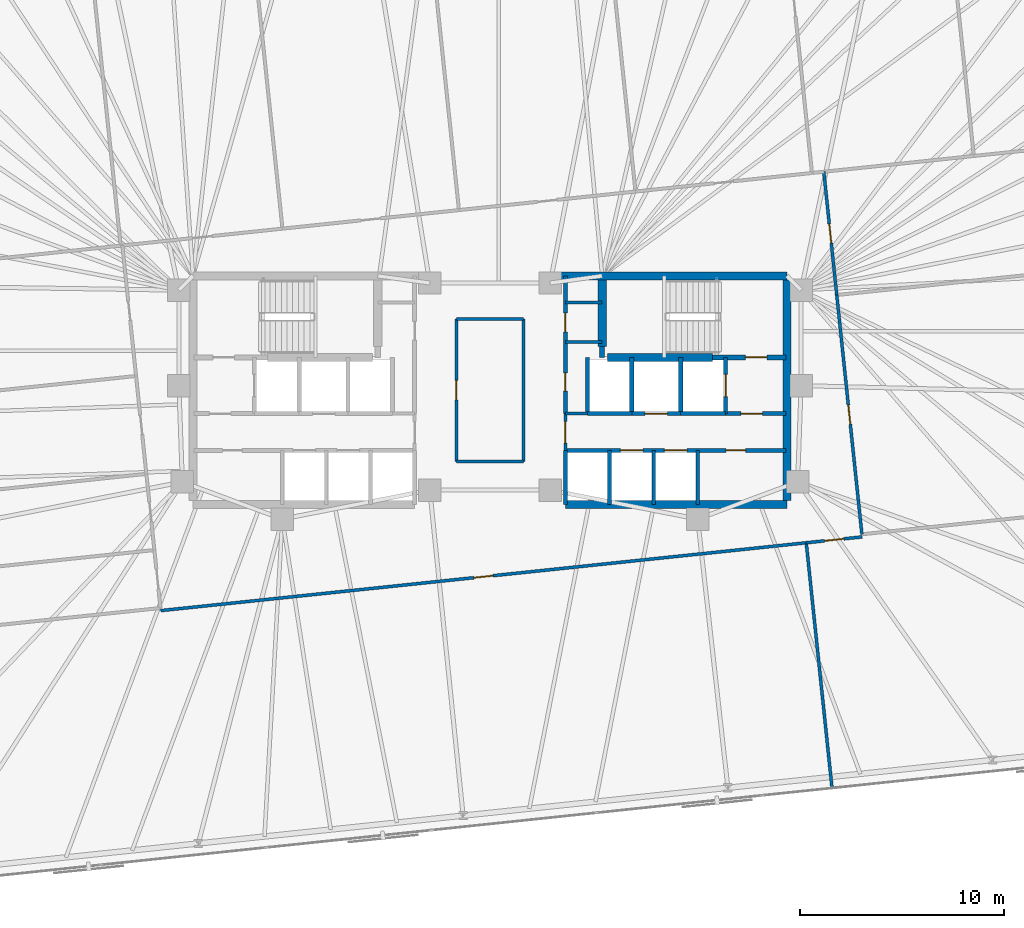
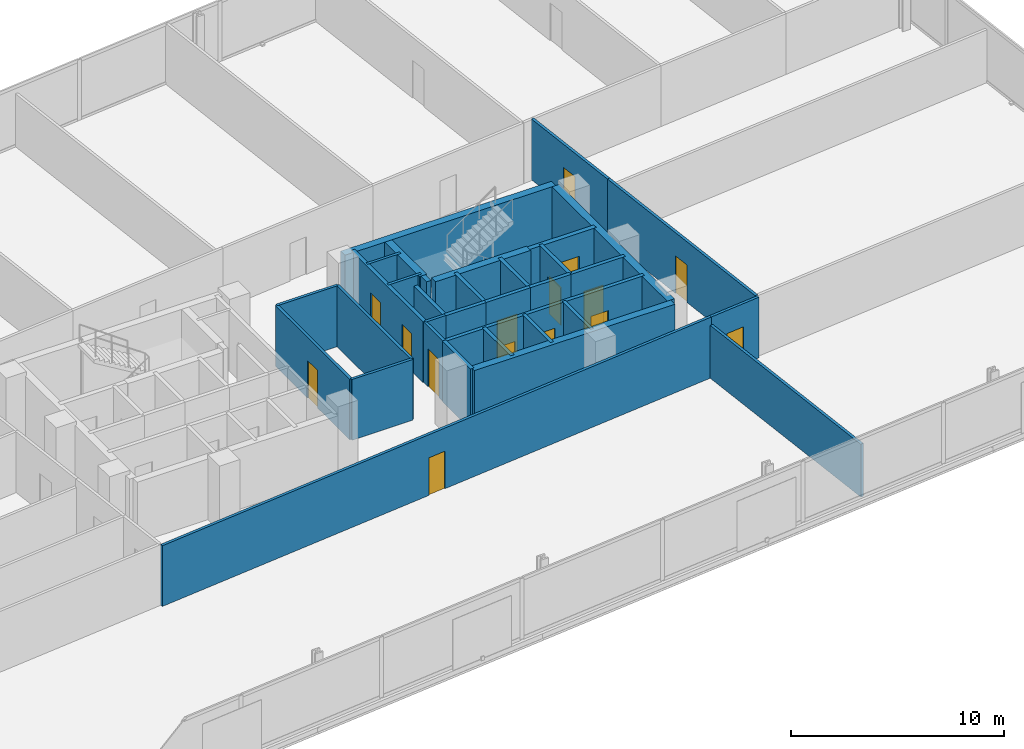
# One storey, part 15 of 18: 34 walls, 15 doors, 15 openings.
"""IFC4 building model written with IfcOpenShell, lengths in metres."""

from ifc_helpers import new_model, si_unit, direction, frame, frame_2d, origin, place, context, subcontext, project, spatial, rectangle, extrude, material, layer, layer_set, type_object, element, fill, save


model = new_model("IFC4")

# Units and contexts
model_context = context("Model", 3, precision=1e-05, world=origin(), true_north=direction((0.0, 1.0)))
body_context = subcontext(model_context, "Body", "Model", "MODEL_VIEW")
ifc_project = project(units=[si_unit("LENGTHUNIT", "METRE"), si_unit("AREAUNIT", "SQUARE_METRE"), si_unit("VOLUMEUNIT", "CUBIC_METRE"), si_unit("PLANEANGLEUNIT", "RADIAN"), si_unit("MASSUNIT", "GRAM", prefix="KILO")], contexts=[model_context])

# Site, building, storey
site_placement = place(None, origin())
site = spatial("IfcSite", under=ifc_project, at=site_placement, CompositionType="ELEMENT")
building_placement = place(site_placement, origin())
building = spatial("IfcBuilding", under=site, at=building_placement, Name="Menara Jurai Vektor", CompositionType="ELEMENT")
storey_placement = place(building_placement, frame((0.0, 0.0, 105.89990234375)))
storey = spatial("IfcBuildingStorey", under=building, at=storey_placement, Name="L26", CompositionType="ELEMENT", Elevation=105.89990234375)

# Wall, opening, door
ifc_material_1 = material(Name="Concrete C40/50", Category="concrete")
ifc_layer_1 = layer(ifc_material_1, 0.25)
ifc_layer_set_1 = layer_set([ifc_layer_1], Name="Concrete C40/50")
wall_type_1 = type_object("IfcWallType", Name="INT-WALL-CORE-250", PredefinedType="STANDARD", material=ifc_layer_set_1)
wall_1_placement = place(storey_placement, frame((10.89990234375, 1.60009765625, 0.0), z_axis=(0.0, 0.0, 1.0), x_axis=(1.0, 0.0, 0.0)))
wall_1 = element("IfcWall", 1, at=wall_1_placement, inside=storey, type_object=wall_type_1, Name="Interior Wall IW-250 L26", PredefinedType="STANDARD", context=body_context, shape_type="SweptSolid", body=[
    extrude(rectangle(XDim=3.60009765625, YDim=0.25, at=frame_2d((1.800048828125, 0.0))), origin(), (0.0, 0.0, 1.0), 3.47509765625),
])
opening_1_placement = place(wall_1_placement, frame((1.6201171875, 0.0, 0.0)))
opening_1 = element("IfcOpeningElement", 2, at=opening_1_placement, cuts=wall_1, Name="Opening D-L26-ST2", PredefinedType="OPENING", context=body_context, shape_type="SweptSolid", body=[
    extrude(rectangle(XDim=1.050048828125, YDim=2.14990234375, at=frame_2d((0.52490234375, 1.074951171875))), frame((0.0, 0.135009765625, 0.0), z_axis=(0.0, -1.0, 0.0), x_axis=(1.0, 0.0, 0.0)), (0.0, 0.0, 1.0), 0.27001953125),
])
ifc_material_2 = material(Name="Fire-Rated Steel Door", Category="steel")
door_type_1 = type_object("IfcDoorType", Name="DR-STAIR-1050", OperationType="NOTDEFINED", PredefinedType="DOOR", material=ifc_material_2)
door_1_placement = place(opening_1_placement, origin())
door_1 = element("IfcDoor", 3, at=door_1_placement, inside=storey, type_object=door_type_1, Name="Exit Stair ST2 Door L26", OperationType="SINGLE_SWING_LEFT", OverallHeight=2.14990234375, OverallWidth=1.050048828125, PredefinedType="DOOR", context=body_context, shape_type="SweptSolid", body=[
    extrude(rectangle(XDim=1.050048828125, YDim=2.14990234375, at=frame_2d((0.52490234375, 1.074951171875))), frame((0.0, 0.02490234375, 0.0), z_axis=(0.0, -1.0, 0.0), x_axis=(1.0, 0.0, 0.0)), (0.0, 0.0, 1.0), 0.050048828125),
])
fill(opening_1, door_1)

# Wall
wall_2_placement = place(storey_placement, frame((5.5, 1.60009765625, 0.0), z_axis=(0.0, 0.0, 1.0), x_axis=(0.0, 1.0, 0.0)))
element("IfcWall", 4, at=wall_2_placement, inside=storey, type_object=wall_type_1, Name="Interior Wall IW-250 L26", PredefinedType="STANDARD", context=body_context, shape_type="SweptSolid", body=[
    extrude(rectangle(XDim=0.5498046875, YDim=0.25, at=frame_2d((0.27490234375, 0.0))), origin(), (0.0, 0.0, 1.0), 3.47509765625),
])

# Wall, opening, door
wall_3_placement = place(storey_placement, frame((11.550048828125, -1.14990234375, 0.0), z_axis=(0.0, 0.0, 1.0), x_axis=(0.0, 1.0, 0.0)))
wall_3 = element("IfcWall", 5, at=wall_3_placement, inside=storey, type_object=wall_type_1, Name="Interior Wall IW-250 L26", PredefinedType="STANDARD", context=body_context, shape_type="SweptSolid", body=[
    extrude(rectangle(XDim=2.75, YDim=0.199951171875, at=frame_2d((1.375, 0.0))), origin(), (0.0, 0.0, 1.0), 3.47509765625),
])
opening_2_placement = place(wall_3_placement, frame((0.824951171875, 0.0, 0.0)))
opening_2 = element("IfcOpeningElement", 6, at=opening_2_placement, cuts=wall_3, Name="Opening LD-L26-FL2", PredefinedType="OPENING", context=body_context, shape_type="SweptSolid", body=[
    extrude(rectangle(XDim=1.10009765625, YDim=2.14990234375, at=frame_2d((0.550048828125, 1.074951171875))), frame((0.0, 0.10986328125, 0.0), z_axis=(0.0, -1.0, 0.0), x_axis=(1.0, 0.0, 0.0)), (0.0, 0.0, 1.0), 0.219970703125),
])
ifc_material_3 = material(Name="Stainless Steel Sliding Lift Landing Door", Category="steel")
door_type_2 = type_object("IfcDoorType", Name="DR-LIFT-FIRE-1100", OperationType="NOTDEFINED", PredefinedType="DOOR", material=ifc_material_3)
door_2_placement = place(opening_2_placement, origin())
door_2 = element("IfcDoor", 7, at=door_2_placement, inside=storey, type_object=door_type_2, Name="Lift Landing Door FL2 L26", OperationType="SLIDING_TO_RIGHT", OverallHeight=2.14990234375, OverallWidth=1.10009765625, PredefinedType="DOOR", context=body_context, shape_type="SweptSolid", body=[
    extrude(rectangle(XDim=1.10009765625, YDim=2.14990234375, at=frame_2d((0.550048828125, 1.074951171875))), frame((0.0, 0.02490234375, 0.0), z_axis=(0.0, -1.0, 0.0), x_axis=(1.0, 0.0, 0.0)), (0.0, 0.0, 1.0), 0.050048828125),
])
fill(opening_2, door_2)

# Wall
wall_4_placement = place(storey_placement, frame((9.35009765625, -1.14990234375, 0.0), z_axis=(0.0, 0.0, 1.0), x_axis=(0.0, 1.0, 0.0)))
element("IfcWall", 8, at=wall_4_placement, inside=storey, type_object=wall_type_1, Name="Interior Wall IW-250 L26", PredefinedType="STANDARD", context=body_context, shape_type="SweptSolid", body=[
    extrude(rectangle(XDim=2.75, YDim=0.199951171875, at=frame_2d((1.375, 0.0))), origin(), (0.0, 0.0, 1.0), 3.47509765625),
])

# Wall, opening, door
wall_5_placement = place(storey_placement, frame((11.550048828125, -1.14990234375, 0.0), z_axis=(0.0, 0.0, 1.0), x_axis=(1.0, 0.0, 0.0)))
wall_5 = element("IfcWall", 9, at=wall_5_placement, inside=storey, type_object=wall_type_1, Name="Interior Wall IW-250 L26", PredefinedType="STANDARD", context=body_context, shape_type="SweptSolid", body=[
    extrude(rectangle(XDim=2.949951171875, YDim=0.199951171875, at=frame_2d((1.47509765625, 0.0))), origin(), (0.0, 0.0, 1.0), 3.47509765625),
])
opening_3_placement = place(wall_5_placement, frame((0.75, 0.0, 0.0)))
opening_3 = element("IfcOpeningElement", 10, at=opening_3_placement, cuts=wall_5, Name="Opening D-L26-FFE", PredefinedType="OPENING", context=body_context, shape_type="SweptSolid", body=[
    extrude(rectangle(XDim=1.050048828125, YDim=2.179931640625, at=frame_2d((0.52490234375, 1.08984375))), frame((0.0, 0.10986328125, 0.0), z_axis=(0.0, -1.0, 0.0), x_axis=(1.0, 0.0, 0.0)), (0.0, 0.0, 1.0), 0.219970703125),
])
ifc_material_4 = material(Name="Fire-Rated Timber Door", Category="wood")
door_type_3 = type_object("IfcDoorType", Name="DR-LOBBY-1050", OperationType="NOTDEFINED", PredefinedType="DOOR", material=ifc_material_4)
door_3_placement = place(opening_3_placement, origin())
door_3 = element("IfcDoor", 11, at=door_3_placement, inside=storey, type_object=door_type_3, Name="Fire Lift Lobby Door E L26", OperationType="SINGLE_SWING_LEFT", OverallHeight=2.179931640625, OverallWidth=1.050048828125, PredefinedType="DOOR", context=body_context, shape_type="SweptSolid", body=[
    extrude(rectangle(XDim=1.050048828125, YDim=2.179931640625, at=frame_2d((0.52490234375, 1.08984375))), frame((0.0, 0.02490234375, 0.0), z_axis=(0.0, -1.0, 0.0), x_axis=(1.0, 0.0, 0.0)), (0.0, 0.0, 1.0), 0.050048828125),
])
fill(opening_3, door_3)

# Wall
wall_6_placement = place(storey_placement, frame((9.35009765625, -1.14990234375, 0.0), z_axis=(0.0, 0.0, 1.0), x_axis=(1.0, 0.0, 0.0)))
element("IfcWall", 12, at=wall_6_placement, inside=storey, type_object=wall_type_1, Name="Interior Wall IW-250 L26", PredefinedType="STANDARD", context=body_context, shape_type="SweptSolid", body=[
    extrude(rectangle(XDim=2.199951171875, YDim=0.199951171875, at=frame_2d((1.10009765625, 0.0))), origin(), (0.0, 0.0, 1.0), 3.47509765625),
])

# Wall, opening, door
ifc_material_5 = material(Name="Gypsum Fireboard Partition", Category="gypsum")
ifc_layer_2 = layer(ifc_material_5, 0.14990234375)
ifc_layer_set_2 = layer_set([ifc_layer_2], Name="Gypsum Fireboard Partition")
wall_type_2 = type_object("IfcWallType", Name="INT-WALL-CORR-150", PredefinedType="PARTITIONING", material=ifc_layer_set_2)
wall_7_placement = place(storey_placement, frame((3.699951171875, -2.949951171875, 0.0), z_axis=(0.0, 0.0, 1.0), x_axis=(0.0, 1.0, 0.0)))
wall_7 = element("IfcWall", 13, at=wall_7_placement, inside=storey, type_object=wall_type_2, Name="Interior Wall IW-150 L26", PredefinedType="PARTITIONING", context=body_context, shape_type="SweptSolid", body=[
    extrude(rectangle(XDim=1.800048828125, YDim=0.14990234375, at=frame_2d((0.89990234375, 0.0))), origin(), (0.0, 0.0, 1.0), 3.47509765625),
])
opening_4_placement = place(wall_7_placement, frame((0.35009765625, 0.0, 0.0)))
opening_4 = element("IfcOpeningElement", 14, at=opening_4_placement, cuts=wall_7, Name="Opening D-L26-LLE", PredefinedType="OPENING", context=body_context, shape_type="SweptSolid", body=[
    extrude(rectangle(XDim=1.050048828125, YDim=2.179931640625, at=frame_2d((0.52490234375, 1.08984375))), frame((0.0, 0.0849609375, 0.0), z_axis=(0.0, -1.0, 0.0), x_axis=(1.0, 0.0, 0.0)), (0.0, 0.0, 1.0), 0.169921875),
])
door_4_placement = place(opening_4_placement, frame((1.050048828125, 0.0, 0.0), z_axis=(0.0, 0.0, 1.0), x_axis=(-1.0, 0.0, 0.0)))
door_4 = element("IfcDoor", 15, at=door_4_placement, inside=storey, type_object=door_type_3, Name="Lift Lobby Corridor Door E L26", OperationType="SINGLE_SWING_RIGHT", OverallHeight=2.179931640625, OverallWidth=1.050048828125, PredefinedType="DOOR", context=body_context, shape_type="SweptSolid", body=[
    extrude(rectangle(XDim=1.050048828125, YDim=2.179931640625, at=frame_2d((0.52490234375, 1.08984375))), frame((0.0, 0.02490234375, 0.0), z_axis=(0.0, -1.0, 0.0), x_axis=(1.0, 0.0, 0.0)), (0.0, 0.0, 1.0), 0.050048828125),
])
fill(opening_4, door_4)

# Walls
wall_8_placement = place(storey_placement, frame((3.699951171875, -1.14990234375, 0.0), z_axis=(0.0, 0.0, 1.0), x_axis=(1.0, 0.0, 0.0)))
element("IfcWall", 16, at=wall_8_placement, inside=storey, type_object=wall_type_2, Name="Interior Wall IW-150 L26", PredefinedType="PARTITIONING", context=body_context, shape_type="SweptSolid", body=[
    extrude(rectangle(XDim=1.090087890625, YDim=0.14990234375, at=frame_2d((0.544921875, 0.0))), origin(), (0.0, 0.0, 1.0), 3.47509765625),
])
for number, where, z_axis, x_axis, name in (
    (17, (3.699951171875, 4.300048828125, 0.0), (0.0, 0.0, 1.0), (1.0, 0.0, 0.0), "Interior Wall IW-150 L26"),
    (18, (3.699951171875, 2.35009765625, 0.0), (0.0, 0.0, 1.0), (1.0, 0.0, 0.0), "Interior Wall IW-150 L26"),
):
    element("IfcWall", number, at=place(storey_placement, frame(where, z_axis=z_axis, x_axis=x_axis)), inside=storey, type_object=wall_type_2, Name=name, PredefinedType="PARTITIONING", context=body_context, shape_type="SweptSolid", body=[
        extrude(rectangle(XDim=1.800048828125, YDim=0.14990234375, at=frame_2d((0.89990234375, 0.0))), origin(), (0.0, 0.0, 1.0), 3.47509765625),
    ])

# Wall, opening, door
wall_9_placement = place(storey_placement, frame((-1.649658203125, -3.490478515625, 0.0), z_axis=(0.0, 0.0, 1.0), x_axis=(-0.000104928124, 0.999999994495, 0.0)))
wall_9 = element("IfcWall", 19, at=wall_9_placement, inside=storey, type_object=wall_type_2, Name="Interior Wall IW-150 L26", PredefinedType="PARTITIONING", context=body_context, shape_type="SweptSolid", body=[
    extrude(rectangle(XDim=6.980224609375, YDim=0.14990234375, at=frame_2d((3.490234375, 0.0))), origin(), (0.0, 0.0, 1.0), 3.47509765625),
])
opening_5_placement = place(wall_9_placement, frame((3.01513671875, 0.0, 0.0)))
opening_5 = element("IfcOpeningElement", 20, at=opening_5_placement, cuts=wall_9, Name="Opening D26-06", PredefinedType="OPENING", context=body_context, shape_type="SweptSolid", body=[
    extrude(rectangle(XDim=0.949951171875, YDim=2.14990234375, at=frame_2d((0.47509765625, 1.074951171875))), frame((0.0, 0.0849609375, 0.0), z_axis=(0.0, -1.0, 0.0), x_axis=(1.0, 0.0, 0.0)), (0.0, 0.0, 1.0), 0.169921875),
])
ifc_material_6 = material(Name="Solid Core Timber Fire Door", Category="wood")
door_type_4 = type_object("IfcDoorType", Name="DR-ENTRY-950", OperationType="NOTDEFINED", PredefinedType="DOOR", material=ifc_material_6)
door_5_placement = place(opening_5_placement, origin())
door_5 = element("IfcDoor", 21, at=door_5_placement, inside=storey, type_object=door_type_4, Name="Interior Door D26-06", OperationType="SINGLE_SWING_LEFT", OverallHeight=2.14990234375, OverallWidth=0.949951171875, PredefinedType="DOOR", context=body_context, shape_type="SweptSolid", body=[
    extrude(rectangle(XDim=0.949951171875, YDim=2.14990234375, at=frame_2d((0.47509765625, 1.074951171875))), frame((0.0, 0.02490234375, 0.0), z_axis=(0.0, -1.0, 0.0), x_axis=(1.0, 0.0, 0.0)), (0.0, 0.0, 1.0), 0.050048828125),
])
fill(opening_5, door_5)

# Walls
wall_10_placement = place(storey_placement, frame((-1.649658203125, -3.490478515625, 0.0), z_axis=(0.0, 0.0, 1.0), x_axis=(1.0, 0.0, 0.0)))
element("IfcWall", 22, at=wall_10_placement, inside=storey, type_object=wall_type_2, Name="Interior Wall IW-150 L26", PredefinedType="PARTITIONING", context=body_context, shape_type="SweptSolid", body=[
    extrude(rectangle(XDim=3.300048828125, YDim=0.14990234375, at=frame_2d((1.64990234375, 0.0))), origin(), (0.0, 0.0, 1.0), 3.47509765625),
])
wall_11_placement = place(storey_placement, frame((-1.650390625, 3.48974609375, 0.0), z_axis=(0.0, 0.0, 1.0), x_axis=(1.0, 0.0, 0.0)))
element("IfcWall", 23, at=wall_11_placement, inside=storey, type_object=wall_type_2, Name="Interior Wall IW-150 L26", PredefinedType="PARTITIONING", context=body_context, shape_type="SweptSolid", body=[
    extrude(rectangle(XDim=3.30029296875, YDim=0.14990234375, at=frame_2d((1.650146484375, 0.0))), origin(), (0.0, 0.0, 1.0), 3.47509765625),
])
wall_12_placement = place(storey_placement, frame((1.650390625, -3.490478515625, 0.0), z_axis=(0.0, 0.0, 1.0), x_axis=(-6.9952083e-05, 0.999999997553, 0.0)))
element("IfcWall", 24, at=wall_12_placement, inside=storey, type_object=wall_type_2, Name="Interior Wall IW-150 L26", PredefinedType="PARTITIONING", context=body_context, shape_type="SweptSolid", body=[
    extrude(rectangle(XDim=6.980224609375, YDim=0.14990234375, at=frame_2d((3.490234375, 0.0))), origin(), (0.0, 0.0, 1.0), 3.47509765625),
])

# Wall, opening, door
wall_13_placement = place(storey_placement, frame((-16.139892578125, -10.80908203125, 0.0), z_axis=(0.0, 0.0, 1.0), x_axis=(0.994522174335, 0.104525809046, 0.0)))
wall_13 = element("IfcWall", 25, at=wall_13_placement, inside=storey, type_object=wall_type_2, Name="Interior Wall IW-150 L26", PredefinedType="PARTITIONING", context=body_context, shape_type="SweptSolid", body=[
    extrude(rectangle(XDim=31.81689453125, YDim=0.14990234375, at=frame_2d((15.908447265625, 0.0))), origin(), (0.0, 0.0, 1.0), 3.47509765625),
])
opening_6_placement = place(wall_13_placement, frame((15.43359375, 0.0, 0.0)))
opening_6 = element("IfcOpeningElement", 26, at=opening_6_placement, cuts=wall_13, Name="Opening D26-11", PredefinedType="OPENING", context=body_context, shape_type="SweptSolid", body=[
    extrude(rectangle(XDim=0.949951171875, YDim=2.14990234375, at=frame_2d((0.47509765625, 1.074951171875))), frame((0.0, 0.0849609375, 0.0), z_axis=(0.0, -1.0, 0.0), x_axis=(1.0, 0.0, 0.0)), (0.0, 0.0, 1.0), 0.169921875),
])
door_6_placement = place(opening_6_placement, origin())
door_6 = element("IfcDoor", 27, at=door_6_placement, inside=storey, type_object=door_type_4, Name="Interior Door D26-11", OperationType="SINGLE_SWING_RIGHT", OverallHeight=2.14990234375, OverallWidth=0.949951171875, PredefinedType="DOOR", context=body_context, shape_type="SweptSolid", body=[
    extrude(rectangle(XDim=0.949951171875, YDim=2.14990234375, at=frame_2d((0.47509765625, 1.074951171875))), frame((0.0, 0.02490234375, 0.0), z_axis=(0.0, -1.0, 0.0), x_axis=(1.0, 0.0, 0.0)), (0.0, 0.0, 1.0), 0.050048828125),
])
fill(opening_6, door_6)

wall_14_placement = place(storey_placement, frame((15.502685546875, -7.4833984375, 0.0), z_axis=(0.0, 0.0, 1.0), x_axis=(0.994525813133, 0.104491181506, 0.0)))
wall_14 = element("IfcWall", 28, at=wall_14_placement, inside=storey, type_object=wall_type_2, Name="Interior Wall IW-150 L26", PredefinedType="PARTITIONING", context=body_context, shape_type="SweptSolid", body=[
    extrude(rectangle(XDim=2.757080078125, YDim=0.14990234375, at=frame_2d((1.37841796875, 0.0))), origin(), (0.0, 0.0, 1.0), 3.47509765625),
])
opening_7_placement = place(wall_14_placement, frame((0.903564453125, 0.0, 0.0)))
opening_7 = element("IfcOpeningElement", 29, at=opening_7_placement, cuts=wall_14, Name="Opening D26-12", PredefinedType="OPENING", context=body_context, shape_type="SweptSolid", body=[
    extrude(rectangle(XDim=0.949951171875, YDim=2.14990234375, at=frame_2d((0.47509765625, 1.074951171875))), frame((0.0, 0.0849609375, 0.0), z_axis=(0.0, -1.0, 0.0), x_axis=(1.0, 0.0, 0.0)), (0.0, 0.0, 1.0), 0.169921875),
])
door_7_placement = place(opening_7_placement, origin())
door_7 = element("IfcDoor", 30, at=door_7_placement, inside=storey, type_object=door_type_4, Name="Interior Door D26-12", OperationType="SINGLE_SWING_LEFT", OverallHeight=2.14990234375, OverallWidth=0.949951171875, PredefinedType="DOOR", context=body_context, shape_type="SweptSolid", body=[
    extrude(rectangle(XDim=0.949951171875, YDim=2.14990234375, at=frame_2d((0.47509765625, 1.074951171875))), frame((0.0, 0.02490234375, 0.0), z_axis=(0.0, -1.0, 0.0), x_axis=(1.0, 0.0, 0.0)), (0.0, 0.0, 1.0), 0.050048828125),
])
fill(opening_7, door_7)

wall_15_placement = place(storey_placement, frame((18.231201171875, -7.06787109375, 0.0), z_axis=(0.0, 0.0, 1.0), x_axis=(-0.104536082083, 0.994521094569, 0.0)))
wall_15 = element("IfcWall", 31, at=wall_15_placement, inside=storey, type_object=wall_type_2, Name="Interior Wall IW-150 L26", PredefinedType="PARTITIONING", context=body_context, shape_type="SweptSolid", body=[
    extrude(rectangle(XDim=11.794189453125, YDim=0.14990234375, at=frame_2d((5.89697265625, 0.0))), origin(), (0.0, 0.0, 1.0), 3.47509765625),
])
opening_8_placement = place(wall_15_placement, frame((5.422119140625, 0.0, 0.0)))
opening_8 = element("IfcOpeningElement", 32, at=opening_8_placement, cuts=wall_15, Name="Opening D26-17", PredefinedType="OPENING", context=body_context, shape_type="SweptSolid", body=[
    extrude(rectangle(XDim=0.949951171875, YDim=2.14990234375, at=frame_2d((0.47509765625, 1.074951171875))), frame((0.0, 0.0849609375, 0.0), z_axis=(0.0, -1.0, 0.0), x_axis=(1.0, 0.0, 0.0)), (0.0, 0.0, 1.0), 0.169921875),
])
door_8_placement = place(opening_8_placement, origin())
door_8 = element("IfcDoor", 33, at=door_8_placement, inside=storey, type_object=door_type_4, Name="Interior Door D26-17", OperationType="SINGLE_SWING_RIGHT", OverallHeight=2.14990234375, OverallWidth=0.949951171875, PredefinedType="DOOR", context=body_context, shape_type="SweptSolid", body=[
    extrude(rectangle(XDim=0.949951171875, YDim=2.14990234375, at=frame_2d((0.47509765625, 1.074951171875))), frame((0.0, 0.02490234375, 0.0), z_axis=(0.0, -1.0, 0.0), x_axis=(1.0, 0.0, 0.0)), (0.0, 0.0, 1.0), 0.050048828125),
])
fill(opening_8, door_8)

wall_16_placement = place(storey_placement, frame((16.998291015625, 4.66162109375, 0.0), z_axis=(0.0, 0.0, 1.0), x_axis=(-0.104515354875, 0.994523273029, 0.0)))
wall_16 = element("IfcWall", 34, at=wall_16_placement, inside=storey, type_object=wall_type_2, Name="Interior Wall IW-150 L26", PredefinedType="PARTITIONING", context=body_context, shape_type="SweptSolid", body=[
    extrude(rectangle(XDim=6.07568359375, YDim=0.14990234375, at=frame_2d((3.037841796875, 0.0))), origin(), (0.0, 0.0, 1.0), 3.47509765625),
])
opening_9_placement = place(wall_16_placement, frame((2.56298828125, 0.0, 0.0)))
opening_9 = element("IfcOpeningElement", 35, at=opening_9_placement, cuts=wall_16, Name="Opening D26-18", PredefinedType="OPENING", context=body_context, shape_type="SweptSolid", body=[
    extrude(rectangle(XDim=0.949951171875, YDim=2.14990234375, at=frame_2d((0.47509765625, 1.074951171875))), frame((0.0, 0.0849609375, 0.0), z_axis=(0.0, -1.0, 0.0), x_axis=(1.0, 0.0, 0.0)), (0.0, 0.0, 1.0), 0.169921875),
])
door_9_placement = place(opening_9_placement, origin())
door_9 = element("IfcDoor", 36, at=door_9_placement, inside=storey, type_object=door_type_4, Name="Interior Door D26-18", OperationType="SINGLE_SWING_LEFT", OverallHeight=2.14990234375, OverallWidth=0.949951171875, PredefinedType="DOOR", context=body_context, shape_type="SweptSolid", body=[
    extrude(rectangle(XDim=0.949951171875, YDim=2.14990234375, at=frame_2d((0.47509765625, 1.074951171875))), frame((0.0, 0.02490234375, 0.0), z_axis=(0.0, -1.0, 0.0), x_axis=(1.0, 0.0, 0.0)), (0.0, 0.0, 1.0), 0.050048828125),
])
fill(opening_9, door_9)

# Wall
ifc_layer_3 = layer(ifc_material_5, 0.14990234375)
ifc_layer_set_3 = layer_set([ifc_layer_3], Name="Gypsum Fireboard Partition")
wall_type_3 = type_object("IfcWallType", Name="INT-WALL-CORR-150-H1", PredefinedType="PARTITIONING", material=ifc_layer_set_3)
wall_17_placement = place(storey_placement, frame((16.7666015625, -19.510009765625, 0.0), z_axis=(0.0, 0.0, 1.0), x_axis=(-0.104517685722, 0.994523028075, 0.0)))
element("IfcWall", 37, at=wall_17_placement, inside=storey, type_object=wall_type_3, Name="Interior Wall IW-150 L26", PredefinedType="PARTITIONING", context=body_context, shape_type="SweptSolid", body=[
    extrude(rectangle(XDim=12.0927734375, YDim=0.14990234375, at=frame_2d((6.04638671875, 0.0))), origin(), (0.0, 0.0, 1.0), 3.025146484375),
])

# Wall, openings, doors
ifc_layer_4 = layer(ifc_material_1, 0.199951171875)
ifc_layer_set_4 = layer_set([ifc_layer_4], Name="Concrete C40/50")
wall_type_4 = type_object("IfcWallType", Name="INT-WALL-SHAFT-200", PredefinedType="STANDARD", material=ifc_layer_set_4)
wall_18_placement = place(storey_placement, frame((3.699951171875, -1.14990234375, 0.0), z_axis=(0.0, 0.0, 1.0), x_axis=(0.0, 1.0, 0.0)))
wall_18 = element("IfcWall", 38, at=wall_18_placement, inside=storey, type_object=wall_type_4, Name="Interior Wall IW-200 L26", PredefinedType="STANDARD", context=body_context, shape_type="SweptSolid", body=[
    extrude(rectangle(XDim=6.75, YDim=0.199951171875, at=frame_2d((3.375, 0.0))), origin(), (0.0, 0.0, 1.0), 3.47509765625),
])
opening_10_placement = place(wall_18_placement, frame((1.10009765625, 0.0, 0.0)))
opening_10 = element("IfcOpeningElement", 39, at=opening_10_placement, cuts=wall_18, Name="Opening D26-04", PredefinedType="OPENING", context=body_context, shape_type="SweptSolid", body=[
    extrude(rectangle(XDim=0.89990234375, YDim=2.14990234375, at=frame_2d((0.449951171875, 1.074951171875))), frame((0.0, 0.10986328125, 0.0), z_axis=(0.0, -1.0, 0.0), x_axis=(1.0, 0.0, 0.0)), (0.0, 0.0, 1.0), 0.219970703125),
])
opening_11_placement = place(wall_18_placement, frame((4.0, 0.0, 0.0)))
opening_11 = element("IfcOpeningElement", 40, at=opening_11_placement, cuts=wall_18, Name="Opening D26-05", PredefinedType="OPENING", context=body_context, shape_type="SweptSolid", body=[
    extrude(rectangle(XDim=0.919921875, YDim=2.14990234375, at=frame_2d((0.4599609375, 1.074951171875))), frame((0.0, 0.10986328125, 0.0), z_axis=(0.0, -1.0, 0.0), x_axis=(1.0, 0.0, 0.0)), (0.0, 0.0, 1.0), 0.219970703125),
])
door_10_placement = place(opening_10_placement, origin())
door_10 = element("IfcDoor", 41, at=door_10_placement, inside=storey, type_object=door_type_4, Name="Interior Door D26-04", OperationType="SINGLE_SWING_RIGHT", OverallHeight=2.14990234375, OverallWidth=0.89990234375, PredefinedType="DOOR", context=body_context, shape_type="SweptSolid", body=[
    extrude(rectangle(XDim=0.89990234375, YDim=2.14990234375, at=frame_2d((0.449951171875, 1.074951171875))), frame((0.0, 0.02490234375, 0.0), z_axis=(0.0, -1.0, 0.0), x_axis=(1.0, 0.0, 0.0)), (0.0, 0.0, 1.0), 0.050048828125),
])
fill(opening_10, door_10)
door_11_placement = place(opening_11_placement, origin())
door_11 = element("IfcDoor", 42, at=door_11_placement, inside=storey, type_object=door_type_4, Name="Interior Door D26-05", OperationType="SINGLE_SWING_RIGHT", OverallHeight=2.14990234375, OverallWidth=0.919921875, PredefinedType="DOOR", context=body_context, shape_type="SweptSolid", body=[
    extrude(rectangle(XDim=0.919921875, YDim=2.14990234375, at=frame_2d((0.4599609375, 1.074951171875))), frame((0.0, 0.02490234375, 0.0), z_axis=(0.0, -1.0, 0.0), x_axis=(1.0, 0.0, 0.0)), (0.0, 0.0, 1.0), 0.050048828125),
])
fill(opening_11, door_11)

# Walls
wall_19_placement = place(storey_placement, frame((3.699951171875, -5.60009765625, 0.0), z_axis=(0.0, 0.0, 1.0), x_axis=(0.0, 1.0, 0.0)))
element("IfcWall", 43, at=wall_19_placement, inside=storey, type_object=wall_type_4, Name="Interior Wall IW-200 L26", PredefinedType="STANDARD", context=body_context, shape_type="SweptSolid", body=[
    extrude(rectangle(XDim=2.650146484375, YDim=0.199951171875, at=frame_2d((1.3251953125, 0.0))), origin(), (0.0, 0.0, 1.0), 3.47509765625),
])
wall_20_placement = place(storey_placement, frame((6.949951171875, -1.14990234375, 0.0), z_axis=(0.0, 0.0, 1.0), x_axis=(0.0, 1.0, 0.0)))
element("IfcWall", 44, at=wall_20_placement, inside=storey, type_object=wall_type_4, Name="Interior Wall IW-200 L26", PredefinedType="STANDARD", context=body_context, shape_type="SweptSolid", body=[
    extrude(rectangle(XDim=2.75, YDim=0.199951171875, at=frame_2d((1.375, 0.0))), origin(), (0.0, 0.0, 1.0), 3.47509765625),
])

# Wall, opening, door
wall_21_placement = place(storey_placement, frame((6.949951171875, -1.14990234375, 0.0), z_axis=(0.0, 0.0, 1.0), x_axis=(1.0, 0.0, 0.0)))
wall_21 = element("IfcWall", 45, at=wall_21_placement, inside=storey, type_object=wall_type_4, Name="Interior Wall IW-200 L26", PredefinedType="STANDARD", context=body_context, shape_type="SweptSolid", body=[
    extrude(rectangle(XDim=2.400146484375, YDim=0.199951171875, at=frame_2d((1.2001953125, 0.0))), origin(), (0.0, 0.0, 1.0), 3.47509765625),
])
opening_12_placement = place(wall_21_placement, frame((0.64990234375, 0.0, 0.0)))
opening_12 = element("IfcOpeningElement", 46, at=opening_12_placement, cuts=wall_21, Name="Opening LD-L26-SVL2", PredefinedType="OPENING", context=body_context, shape_type="SweptSolid", body=[
    extrude(rectangle(XDim=1.10009765625, YDim=2.14990234375, at=frame_2d((0.550048828125, 1.074951171875))), frame((0.0, 0.10986328125, 0.0), z_axis=(0.0, -1.0, 0.0), x_axis=(1.0, 0.0, 0.0)), (0.0, 0.0, 1.0), 0.219970703125),
])
ifc_material_7 = material(Name="Anodised Stainless Sliding Lift Landing Door", Category="steel")
door_type_5 = type_object("IfcDoorType", Name="DR-LIFT-PASS-1100", OperationType="NOTDEFINED", PredefinedType="DOOR", material=ifc_material_7)
door_12_placement = place(opening_12_placement, origin())
door_12 = element("IfcDoor", 47, at=door_12_placement, inside=storey, type_object=door_type_5, Name="Lift Landing Door SVL2 L26", OperationType="SLIDING_TO_RIGHT", OverallHeight=2.14990234375, OverallWidth=1.10009765625, PredefinedType="DOOR", context=body_context, shape_type="SweptSolid", body=[
    extrude(rectangle(XDim=1.10009765625, YDim=2.14990234375, at=frame_2d((0.550048828125, 1.074951171875))), frame((0.0, 0.02490234375, 0.0), z_axis=(0.0, -1.0, 0.0), x_axis=(1.0, 0.0, 0.0)), (0.0, 0.0, 1.0), 0.050048828125),
])
fill(opening_12, door_12)

# Walls
wall_22_placement = place(storey_placement, frame((4.7900390625, -1.14990234375, 0.0), z_axis=(0.0, 0.0, 1.0), x_axis=(0.0, 1.0, 0.0)))
element("IfcWall", 48, at=wall_22_placement, inside=storey, type_object=wall_type_4, Name="Interior Wall IW-200 L26", PredefinedType="STANDARD", context=body_context, shape_type="SweptSolid", body=[
    extrude(rectangle(XDim=2.75, YDim=0.199951171875, at=frame_2d((1.375, 0.0))), origin(), (0.0, 0.0, 1.0), 3.47509765625),
])
wall_23_placement = place(storey_placement, frame((4.7900390625, -1.14990234375, 0.0), z_axis=(0.0, 0.0, 1.0), x_axis=(1.0, 0.0, 0.0)))
element("IfcWall", 49, at=wall_23_placement, inside=storey, type_object=wall_type_4, Name="Interior Wall IW-200 L26", PredefinedType="STANDARD", context=body_context, shape_type="SweptSolid", body=[
    extrude(rectangle(XDim=2.159912109375, YDim=0.199951171875, at=frame_2d((1.080078125, 0.0))), origin(), (0.0, 0.0, 1.0), 3.47509765625),
])

# Wall, openings, doors
wall_24_placement = place(storey_placement, frame((3.699951171875, -2.949951171875, 0.0), z_axis=(0.0, 0.0, 1.0), x_axis=(1.0, 0.0, 0.0)))
wall_24 = element("IfcWall", 50, at=wall_24_placement, inside=storey, type_object=wall_type_4, Name="Interior Wall IW-200 L26", PredefinedType="STANDARD", context=body_context, shape_type="SweptSolid", body=[
    extrude(rectangle(XDim=10.800048828125, YDim=0.199951171875, at=frame_2d((5.39990234375, 0.0))), origin(), (0.0, 0.0, 1.0), 3.47509765625),
])
opening_13_placement = place(wall_24_placement, frame((2.68994140625, 0.0, 0.0)))
opening_13 = element("IfcOpeningElement", 51, at=opening_13_placement, cuts=wall_24, Name="Opening LD-L26-PM3", PredefinedType="OPENING", context=body_context, shape_type="SweptSolid", body=[
    extrude(rectangle(XDim=1.10009765625, YDim=2.14990234375, at=frame_2d((0.550048828125, 1.074951171875))), frame((0.0, 0.10986328125, 0.0), z_axis=(0.0, -1.0, 0.0), x_axis=(1.0, 0.0, 0.0)), (0.0, 0.0, 1.0), 0.219970703125),
])
opening_14_placement = place(wall_24_placement, frame((4.85009765625, 0.0, 0.0)))
opening_14 = element("IfcOpeningElement", 52, at=opening_14_placement, cuts=wall_24, Name="Opening LD-L26-PM4", PredefinedType="OPENING", context=body_context, shape_type="SweptSolid", body=[
    extrude(rectangle(XDim=1.10009765625, YDim=2.14990234375, at=frame_2d((0.550048828125, 1.074951171875))), frame((0.0, 0.10986328125, 0.0), z_axis=(0.0, -1.0, 0.0), x_axis=(1.0, 0.0, 0.0)), (0.0, 0.0, 1.0), 0.219970703125),
])
opening_15_placement = place(wall_24_placement, frame((7.8798828125, 0.0, 0.0)))
opening_15 = element("IfcOpeningElement", 53, at=opening_15_placement, cuts=wall_24, Name="Opening D26-03", PredefinedType="OPENING", context=body_context, shape_type="SweptSolid", body=[
    extrude(rectangle(XDim=0.949951171875, YDim=2.14990234375, at=frame_2d((0.47509765625, 1.074951171875))), frame((0.0, 0.10986328125, 0.0), z_axis=(0.0, -1.0, 0.0), x_axis=(1.0, 0.0, 0.0)), (0.0, 0.0, 1.0), 0.219970703125),
])
door_13_placement = place(opening_15_placement, origin())
door_13 = element("IfcDoor", 54, at=door_13_placement, inside=storey, type_object=door_type_4, Name="Interior Door D26-03", OperationType="SINGLE_SWING_LEFT", OverallHeight=2.14990234375, OverallWidth=0.949951171875, PredefinedType="DOOR", context=body_context, shape_type="SweptSolid", body=[
    extrude(rectangle(XDim=0.949951171875, YDim=2.14990234375, at=frame_2d((0.47509765625, 1.074951171875))), frame((0.0, 0.02490234375, 0.0), z_axis=(0.0, -1.0, 0.0), x_axis=(1.0, 0.0, 0.0)), (0.0, 0.0, 1.0), 0.050048828125),
])
fill(opening_15, door_13)
door_14_placement = place(opening_13_placement, origin())
door_14 = element("IfcDoor", 55, at=door_14_placement, inside=storey, type_object=door_type_5, Name="Lift Landing Door PM3 L26", OperationType="SLIDING_TO_LEFT", OverallHeight=2.14990234375, OverallWidth=1.10009765625, PredefinedType="DOOR", context=body_context, shape_type="SweptSolid", body=[
    extrude(rectangle(XDim=1.10009765625, YDim=2.14990234375, at=frame_2d((0.550048828125, 1.074951171875))), frame((0.0, 0.02490234375, 0.0), z_axis=(0.0, -1.0, 0.0), x_axis=(1.0, 0.0, 0.0)), (0.0, 0.0, 1.0), 0.050048828125),
])
fill(opening_13, door_14)
door_15_placement = place(opening_14_placement, origin())
door_15 = element("IfcDoor", 56, at=door_15_placement, inside=storey, type_object=door_type_5, Name="Lift Landing Door PM4 L26", OperationType="SLIDING_TO_RIGHT", OverallHeight=2.14990234375, OverallWidth=1.10009765625, PredefinedType="DOOR", context=body_context, shape_type="SweptSolid", body=[
    extrude(rectangle(XDim=1.10009765625, YDim=2.14990234375, at=frame_2d((0.550048828125, 1.074951171875))), frame((0.0, 0.02490234375, 0.0), z_axis=(0.0, -1.0, 0.0), x_axis=(1.0, 0.0, 0.0)), (0.0, 0.0, 1.0), 0.050048828125),
])
fill(opening_14, door_15)

# Walls
wall_25_placement = place(storey_placement, frame((5.860107421875, -5.60009765625, 0.0), z_axis=(0.0, 0.0, 1.0), x_axis=(0.0, 1.0, 0.0)))
element("IfcWall", 57, at=wall_25_placement, inside=storey, type_object=wall_type_4, Name="Interior Wall IW-200 L26", PredefinedType="STANDARD", context=body_context, shape_type="SweptSolid", body=[
    extrude(rectangle(XDim=2.650146484375, YDim=0.199951171875, at=frame_2d((1.3251953125, 0.0))), origin(), (0.0, 0.0, 1.0), 3.47509765625),
])
for number, where, z_axis, x_axis, name in (
    (58, (10.179931640625, -5.60009765625, 0.0), (0.0, 0.0, 1.0), (0.0, 1.0, 0.0), "Interior Wall IW-200 L26"),
    (59, (8.02001953125, -5.60009765625, 0.0), (0.0, 0.0, 1.0), (0.0, 1.0, 0.0), "Interior Wall IW-200 L26"),
):
    element("IfcWall", number, at=place(storey_placement, frame(where, z_axis=z_axis, x_axis=x_axis)), inside=storey, type_object=wall_type_4, Name=name, PredefinedType="STANDARD", context=body_context, shape_type="SweptSolid", body=[
        extrude(rectangle(XDim=2.650146484375, YDim=0.179931640625, at=frame_2d((1.3251953125, 0.0))), origin(), (0.0, 0.0, 1.0), 3.47509765625),
    ])
ifc_material_8 = material(Name="Concrete C50/60", Category="concrete")
ifc_layer_5 = layer(ifc_material_8, 0.39990234375)
ifc_layer_set_5 = layer_set([ifc_layer_5], Name="Concrete C50/60")
wall_type_5 = type_object("IfcWallType", Name="STR-WALL-CORE400", PredefinedType="SHEAR", material=ifc_layer_set_5)
wall_26_placement = place(storey_placement, frame((3.14990234375, 5.60009765625, 0.0), z_axis=(0.0, 0.0, 1.0), x_axis=(1.0, 0.0, 0.0)))
element("IfcWall", 60, at=wall_26_placement, inside=storey, type_object=wall_type_5, Name="Core Shear Wall CW-E-N L26", PredefinedType="SHEAR", context=body_context, shape_type="SweptSolid", body=[
    extrude(rectangle(XDim=11.41015625, YDim=0.39990234375, at=frame_2d((5.705078125, 0.0))), origin(), (0.0, 0.0, 1.0), 3.47509765625),
])
wall_27_placement = place(storey_placement, frame((3.699951171875, -5.60009765625, 0.0), z_axis=(0.0, 0.0, 1.0), x_axis=(1.0, 0.0, 0.0)))
element("IfcWall", 61, at=wall_27_placement, inside=storey, type_object=wall_type_5, Name="Core Shear Wall CW-E-S L26", PredefinedType="SHEAR", context=body_context, shape_type="SweptSolid", body=[
    extrude(rectangle(XDim=10.860107421875, YDim=0.39990234375, at=frame_2d((5.43017578125, 0.0))), origin(), (0.0, 0.0, 1.0), 3.47509765625),
])
wall_28_placement = place(storey_placement, frame((14.56005859375, -5.39990234375, 0.0), z_axis=(0.0, 0.0, 1.0), x_axis=(0.0, 1.0, 0.0)))
element("IfcWall", 62, at=wall_28_placement, inside=storey, type_object=wall_type_5, Name="Core Shear Wall CW-E-E L26", PredefinedType="SHEAR", context=body_context, shape_type="SweptSolid", body=[
    extrude(rectangle(XDim=10.7998046875, YDim=0.39990234375, at=frame_2d((5.39990234375, 0.0))), origin(), (0.0, 0.0, 1.0), 3.47509765625),
])
wall_29_placement = place(storey_placement, frame((5.5, 2.14990234375, 0.0), z_axis=(0.0, 0.0, 1.0), x_axis=(0.0, 1.0, 0.0)))
element("IfcWall", 63, at=wall_29_placement, inside=storey, type_object=wall_type_5, Name="Core Shear Wall CW-E-ST L26", PredefinedType="SHEAR", context=body_context, shape_type="SweptSolid", body=[
    extrude(rectangle(XDim=3.25, YDim=0.39990234375, at=frame_2d((1.625, 0.0))), origin(), (0.0, 0.0, 1.0), 3.47509765625),
])
wall_30_placement = place(storey_placement, frame((5.75, 1.60009765625, 0.0), z_axis=(0.0, 0.0, 1.0), x_axis=(1.0, 0.0, 0.0)))
element("IfcWall", 64, at=wall_30_placement, inside=storey, type_object=wall_type_5, Name="Core Shear Wall CW-E-STS L26", PredefinedType="SHEAR", context=body_context, shape_type="SweptSolid", body=[
    extrude(rectangle(XDim=5.14990234375, YDim=0.39990234375, at=frame_2d((2.574951171875, 0.0))), origin(), (0.0, 0.0, 1.0), 3.47509765625),
])

save(model, "model.ifc")
